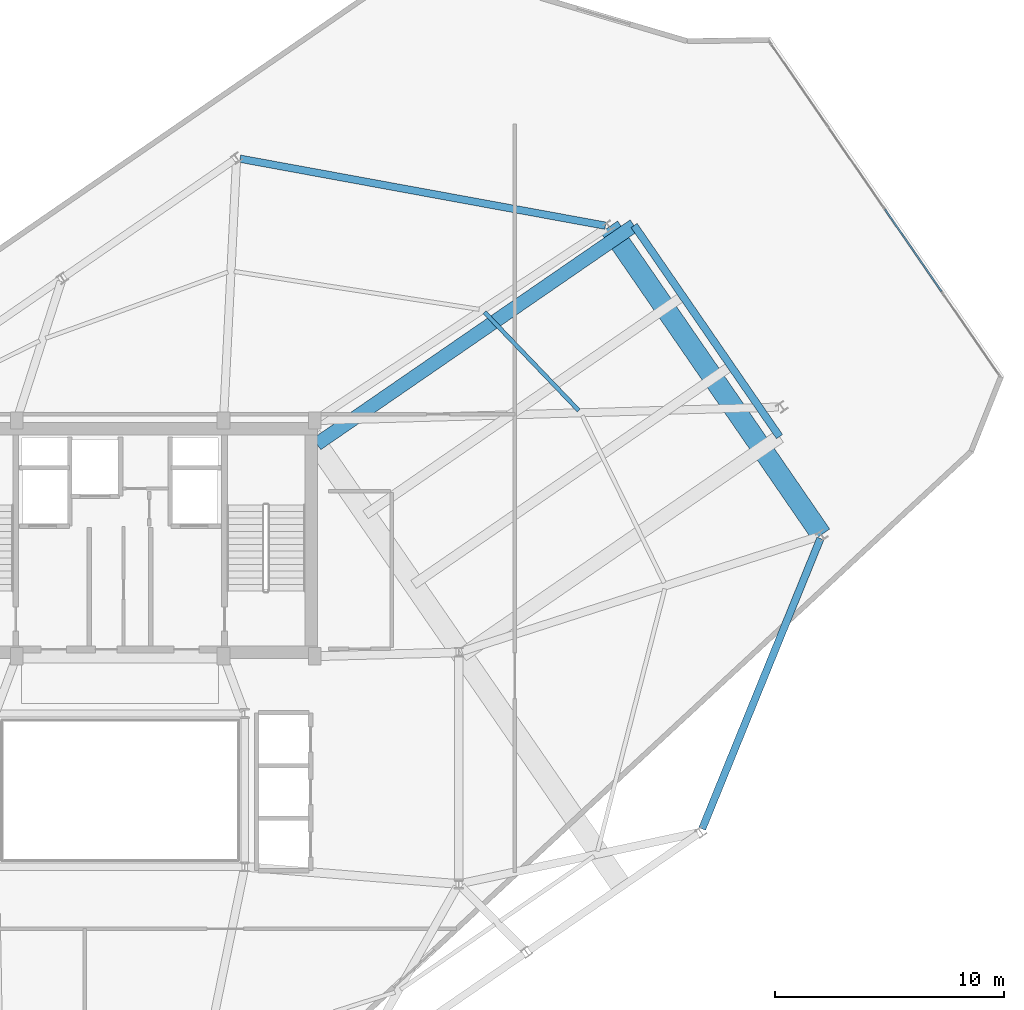
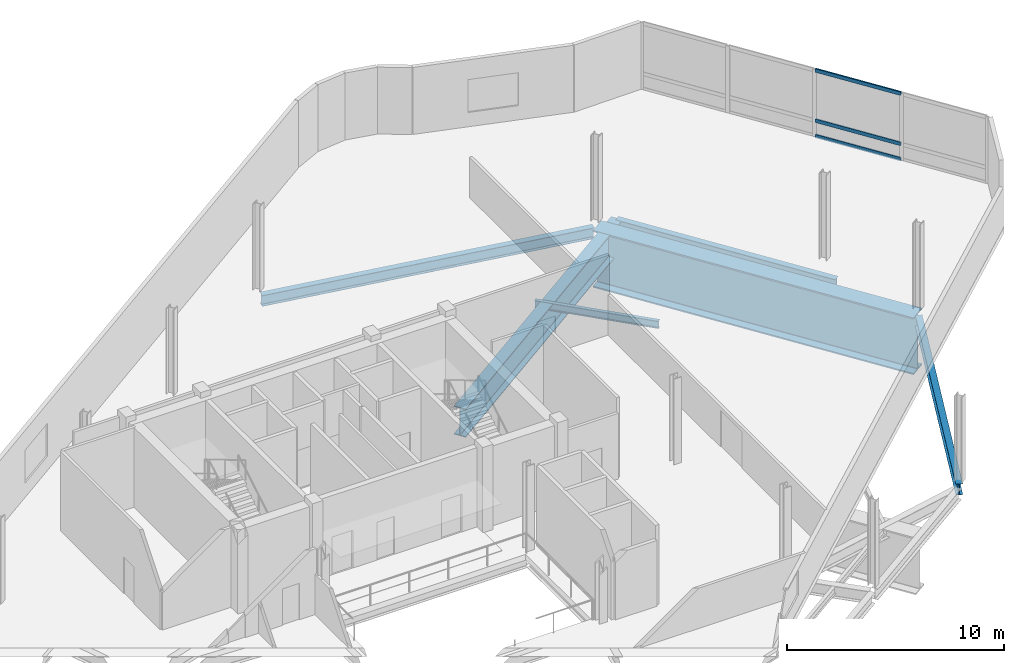
# One storey, part 8 of 15: 6 beams, 3 members, 1 element without a shape of its own.
"""IFC4 building model written with IfcOpenShell, lengths in metres."""

from ifc_helpers import new_model, si_unit, direction, frame, origin, origin_2d, place, context, subcontext, project, spatial, hollow_rectangle, i_section, extrude, material, layer, layer_set, material_profile, profile_set, type_object, element, aggregate, save


model = new_model("IFC4")

# Units and contexts
model_context = context("Model", 3, precision=1e-05, world=origin(), true_north=direction((0.0, 1.0)))
body_context = subcontext(model_context, "Body", "Model", "MODEL_VIEW")
ifc_project = project(units=[si_unit("LENGTHUNIT", "METRE"), si_unit("AREAUNIT", "SQUARE_METRE"), si_unit("VOLUMEUNIT", "CUBIC_METRE"), si_unit("PLANEANGLEUNIT", "RADIAN"), si_unit("MASSUNIT", "GRAM", prefix="KILO")], contexts=[model_context])

# Site, building, storey
site_placement = place(None, origin())
site = spatial("IfcSite", under=ifc_project, at=site_placement, CompositionType="ELEMENT")
building_placement = place(site_placement, origin())
building = spatial("IfcBuilding", under=site, at=building_placement, Name="Varnelok Gate Tower", CompositionType="ELEMENT")
storey_placement = place(building_placement, frame((0.0, 0.0, 291.5)))
storey = spatial("IfcBuildingStorey", under=building, at=storey_placement, Name="L75", CompositionType="ELEMENT", Elevation=291.5)

# Beams
ifc_material_1 = material(Name="Structural Steel ASTM A572 Grade 50", Category="steel")
ifc_material_profile_1 = material_profile(ifc_material_1, i_section(OverallWidth=0.60009765625, OverallDepth=1.60009765625, WebThickness=0.028076171875, FlangeThickness=0.050048828125, FilletRadius=0.02392578125, at=origin_2d()), Name="PG1600X600")
ifc_profile_set_1 = profile_set([ifc_material_profile_1], Name="Structural Steel ASTM A572 Grade 50")
beam_type_1 = type_object("IfcBeamType", Name="BM-CANT-G1", PredefinedType="BEAM", material=ifc_profile_set_1)
beam_1_placement = place(storey_placement, frame((47.7998046875, 38.023681640625, -1.1201171875), z_axis=(0.823532897949, 0.567268513135, 0.0), x_axis=(-0.567268513135, 0.823532897949, 0.0)))
element("IfcBeam", 1, at=beam_1_placement, inside=storey, type_object=beam_type_1, Name="L75 Sky Lounge Cantilever Girder 4", PredefinedType="BEAM", context=body_context, shape_type="SweptSolid", body=[
    extrude(i_section(OverallWidth=0.60009765625, OverallDepth=1.60009765625, WebThickness=0.028076171875, FlangeThickness=0.050048828125, FilletRadius=0.02392578125, at=origin_2d()), origin(), (0.0, 0.0, 1.0), 16.83203125),
])
ifc_material_2 = material(Name="Structural Steel ASTM A992 Grade 50", Category="steel")
ifc_material_profile_2 = material_profile(ifc_material_2, i_section(OverallWidth=0.180908203125, OverallDepth=0.4169921875, WebThickness=0.010986328125, FlangeThickness=0.018310546875, FilletRadius=0.013916015625, at=origin_2d()), Name="W16X57")
ifc_profile_set_2 = profile_set([ifc_material_profile_2], Name="Structural Steel ASTM A992 Grade 50")
beam_type_2 = type_object("IfcBeamType", Name="BM-JST-W16X57", PredefinedType="JOIST", material=ifc_profile_set_2)
beam_2_placement = place(storey_placement, frame((59.239990234375, 39.48974609375, -0.528564453125), z_axis=(-0.691805554004, 0.722083842396, 0.0), x_axis=(-0.722083842396, -0.691805554004, 0.0)))
element("IfcBeam", 2, at=beam_2_placement, inside=storey, type_object=beam_type_2, Name="L75 Sector Floor Joist 7", PredefinedType="JOIST", context=body_context, shape_type="SweptSolid", body=[
    extrude(i_section(OverallWidth=0.180908203125, OverallDepth=0.4169921875, WebThickness=0.010986328125, FlangeThickness=0.018310546875, FilletRadius=0.013916015625, at=origin_2d()), origin(), (0.0, 0.0, 1.0), 5.95068359375),
])
ifc_material_profile_3 = material_profile(ifc_material_2, i_section(OverallWidth=0.323974609375, OverallDepth=0.611083984375, WebThickness=0.0126953125, FlangeThickness=0.01904296875, FilletRadius=0.01806640625, at=origin_2d()), Name="W24X104")
ifc_profile_set_3 = profile_set([ifc_material_profile_3], Name="Structural Steel ASTM A992 Grade 50")
beam_type_3 = type_object("IfcBeamType", Name="BM-SPN-W24X104", PredefinedType="SPANDREL", material=ifc_profile_set_3)
beam_3_placement = place(storey_placement, frame((64.634765625, 21.20849609375, -0.62548828125), z_axis=(0.377167779659, 0.926144948692, 0.0), x_axis=(-0.926144948692, 0.377167779659, 0.0)))
element("IfcBeam", 3, at=beam_3_placement, inside=storey, type_object=beam_type_3, Name="L75 Perimeter Spandrel Beam 5", PredefinedType="SPANDREL", context=body_context, shape_type="SweptSolid", body=[
    extrude(i_section(OverallWidth=0.323974609375, OverallDepth=0.611083984375, WebThickness=0.0126953125, FlangeThickness=0.01904296875, FilletRadius=0.01806640625, at=origin_2d()), origin(), (0.0, 0.0, 1.0), 13.695556640625),
])
beam_4_placement = place(storey_placement, frame((60.406005859375, 47.564453125, -0.62548828125), z_axis=(-0.98359926462, 0.180367642995, 0.0), x_axis=(-0.180367642995, -0.98359926462, 0.0)))
element("IfcBeam", 4, at=beam_4_placement, inside=storey, type_object=beam_type_3, Name="L75 Perimeter Spandrel Beam 8", PredefinedType="SPANDREL", context=body_context, shape_type="SweptSolid", body=[
    extrude(i_section(OverallWidth=0.323974609375, OverallDepth=0.611083984375, WebThickness=0.0126953125, FlangeThickness=0.01904296875, FilletRadius=0.01806640625, at=origin_2d()), origin(), (0.0, 0.0, 1.0), 16.23193359375),
])
beam_5_placement = place(storey_placement, frame((68.014892578125, 38.348388671875, -0.62548828125), z_axis=(-0.567257601673, 0.823540413911, 0.0), x_axis=(-0.823540413911, -0.567257601673, 0.0)))
element("IfcBeam", 5, at=beam_5_placement, inside=storey, type_object=beam_type_3, Name="L75 Sky Lounge Tip Trimmer Beam", PredefinedType="SPANDREL", context=body_context, shape_type="SweptSolid", body=[
    extrude(i_section(OverallWidth=0.323974609375, OverallDepth=0.611083984375, WebThickness=0.0126953125, FlangeThickness=0.01904296875, FilletRadius=0.01806640625, at=origin_2d()), origin(), (0.0, 0.0, 1.0), 11.199951171875),
])
ifc_material_profile_4 = material_profile(ifc_material_1, i_section(OverallWidth=0.89990234375, OverallDepth=3.199951171875, WebThickness=0.0400390625, FlangeThickness=0.074951171875, FilletRadius=0.030029296875, at=origin_2d()), Name="PG3200X900")
ifc_profile_set_4 = profile_set([ifc_material_profile_4], Name="Structural Steel ASTM A572 Grade 50")
beam_type_4 = type_object("IfcBeamType", Name="BM-TR-PG3200", PredefinedType="BEAM", material=ifc_profile_set_4)
beam_6_placement = place(storey_placement, frame((69.83984375, 34.05615234375, -1.919921875), z_axis=(-0.567273036653, 0.823529782028, 0.0), x_axis=(-0.823529782028, -0.567273036653, 0.0)))
element("IfcBeam", 6, at=beam_6_placement, inside=storey, type_object=beam_type_4, Name="L75 Sky Lounge East Fulcrum Girder", PredefinedType="BEAM", context=body_context, shape_type="SweptSolid", body=[
    extrude(i_section(OverallWidth=0.89990234375, OverallDepth=3.199951171875, WebThickness=0.0400390625, FlangeThickness=0.074951171875, FilletRadius=0.030029296875, at=origin_2d()), origin(), (0.0, 0.0, 1.0), 16.340087890625),
])

# Curtain wall, members
ifc_material_3 = material(Name="Anodized Aluminum Alloy 6063-T6", Category="aluminium")
ifc_layer = layer(ifc_material_3, 0.179931640625)
ifc_layer_set = layer_set([ifc_layer], Name="Anodized Aluminum Alloy 6063-T6")
curtain_wall_type = type_object("IfcCurtainWallType", Name="CW6-CROWN-LOOKOUT", PredefinedType="USERDEFINED", material=ifc_layer_set)
curtain_wall_placement = place(storey_placement, origin())
curtain_wall = element("IfcCurtainWall", 7, at=curtain_wall_placement, inside=storey, type_object=curtain_wall_type, Name="L75 East End Vision Curtain Wall", ObjectType="STRUCTURAL GLAZING", PredefinedType="USERDEFINED")
ifc_material_profile_5 = material_profile(ifc_material_3, hollow_rectangle(XDim=0.074951171875, YDim=0.199951171875, WallThickness=0.00390625, at=origin_2d()), Name="ALU200X75X4")
ifc_profile_set_5 = profile_set([ifc_material_profile_5], Name="Anodized Aluminum Alloy 6063-T6")
member_type = type_object("IfcMemberType", Name="CW-TRAN-200", PredefinedType="USERDEFINED", material=ifc_profile_set_5)
member_1_placement = place(storey_placement, frame((72.623779296875, 48.277587890625, 0.03759765625), z_axis=(0.567264635435, -0.823535568986, 0.0), x_axis=(0.823535568986, 0.567264635435, 0.0)))
member_1 = element("IfcMember", 8, at=member_1_placement, type_object=member_type, Name="CW6 transom 3.1", ObjectType="TRANSOM", PredefinedType="USERDEFINED", context=body_context, shape_type="SweptSolid", body=[
    extrude(hollow_rectangle(XDim=0.074951171875, YDim=0.199951171875, WallThickness=0.00390625, at=origin_2d()), origin(), (0.0, 0.0, 1.0), 4.349853515625),
])
member_2_placement = place(storey_placement, frame((72.623779296875, 48.277587890625, 0.89990234375), z_axis=(0.567264635435, -0.823535568986, 0.0), x_axis=(0.823535568986, 0.567264635435, 0.0)))
member_2 = element("IfcMember", 9, at=member_2_placement, type_object=member_type, Name="CW6 transom 3.2", ObjectType="TRANSOM", PredefinedType="USERDEFINED", context=body_context, shape_type="SweptSolid", body=[
    extrude(hollow_rectangle(XDim=0.074951171875, YDim=0.199951171875, WallThickness=0.00390625, at=origin_2d()), origin(), (0.0, 0.0, 1.0), 4.349853515625),
])
member_3_placement = place(storey_placement, frame((72.623779296875, 48.277587890625, 3.722412109375), z_axis=(0.567264635435, -0.823535568986, 0.0), x_axis=(0.823535568986, 0.567264635435, 0.0)))
member_3 = element("IfcMember", 10, at=member_3_placement, type_object=member_type, Name="CW6 transom 3.3", ObjectType="TRANSOM", PredefinedType="USERDEFINED", context=body_context, shape_type="SweptSolid", body=[
    extrude(hollow_rectangle(XDim=0.074951171875, YDim=0.199951171875, WallThickness=0.00390625, at=origin_2d()), origin(), (0.0, 0.0, 1.0), 4.349853515625),
])
aggregate(curtain_wall, [member_1, member_2, member_3])

save(model, "model.ifc")
